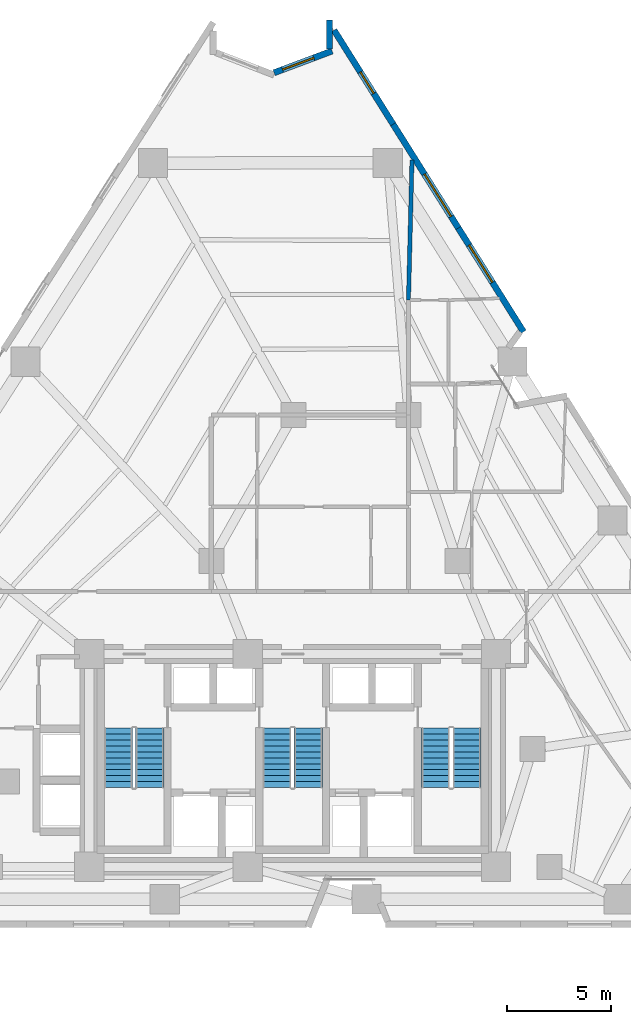
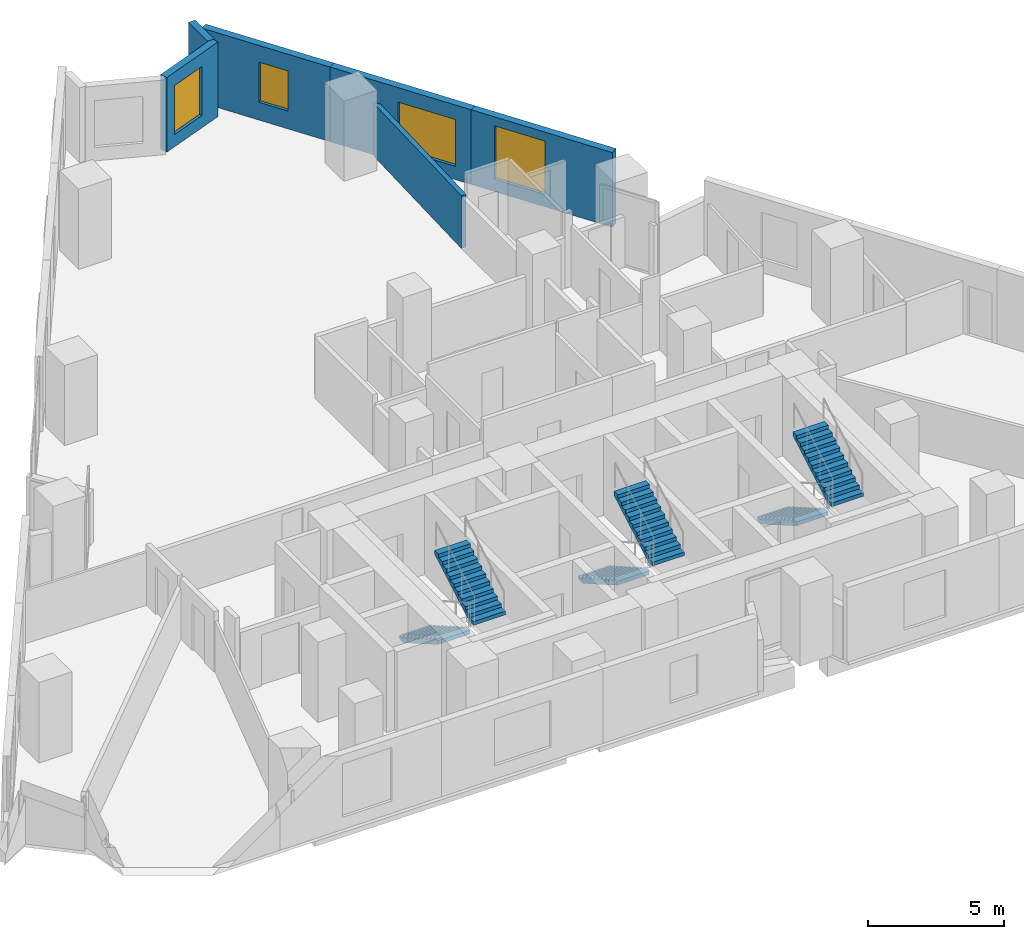
# One storey, part 10 of 13: 6 stair flights, 6 walls, 4 windows, 4 openings, 3 elements without a shape of their own.
"""IFC4 building model written with IfcOpenShell, lengths in metres."""

import ifcopenshell
import ifcopenshell.guid

model = None  # the IFC model being written
_history = None  # IfcOwnerHistory: only IFC2X3 demands one
_inside = {}  # id of a spatial element -> (the spatial element, [elements in it])
_under = {}  # id of a project, library or spatial element -> (it, [spatial elements below it])
_declared = {}  # id of a project -> (the project, [libraries it declares])
_typed = {}  # id of a type object -> (the type object, [elements of that type])
_made_of = {}  # id of a material, layer set ... -> (it, [elements and type objects made of it])


def new_model(schema):
    """Start an empty IFC model of exactly this schema.

    Asked for "IFC4X3", IfcOpenShell would pick the latest addendum, in which some entities
    have other attributes; the version numbers below select the first issue.
    IFC2X3 requires an IfcOwnerHistory on every rooted entity: one is made here for all.
    """
    global model, _history
    if schema == "IFC4X3":
        model = ifcopenshell.file(schema_version=(4, 3, 0, 0))
    else:
        model = ifcopenshell.file(schema=schema)
    _inside.clear()
    _under.clear()
    _declared.clear()
    _typed.clear()
    _made_of.clear()
    _history = None
    if model.schema == "IFC2X3":
        org = make("IfcOrganization", Name="unknown")
        user = make(
            "IfcPersonAndOrganization",
            ThePerson=make("IfcPerson", FamilyName="unknown"),
            TheOrganization=org,
        )
        app = make(
            "IfcApplication",
            ApplicationDeveloper=org,
            Version="unknown",
            ApplicationFullName="unknown",
            ApplicationIdentifier="unknown",
        )
        _history = make(
            "IfcOwnerHistory",
            OwningUser=user,
            OwningApplication=app,
            ChangeAction="ADDED",
            CreationDate=0,
        )
    return model


def make(cls, **values):
    """One entity of the class cls with the attributes given. An attribute that is None is left unset."""
    return model.create_entity(
        cls, **{name: value for name, value in values.items() if value is not None}
    )


def rooted(cls, **values):
    """An entity with a GlobalId (a new one), such as an element, a storey or a relation."""
    return make(cls, GlobalId=ifcopenshell.guid.new(), OwnerHistory=_history, **values)


def si_unit(unit_type, name, prefix=None):
    """IfcSIUnit, for example si_unit("LENGTHUNIT", "METRE", prefix="MILLI")."""
    return make("IfcSIUnit", UnitType=unit_type, Prefix=prefix, Name=name)


def assignment(units):
    """IfcUnitAssignment: the units of a project."""
    return None if units is None else make("IfcUnitAssignment", Units=units)


def point(xyz):
    """IfcCartesianPoint."""
    return None if xyz is None else make("IfcCartesianPoint", Coordinates=xyz)


def direction(xyz):
    """IfcDirection."""
    return None if xyz is None else make("IfcDirection", DirectionRatios=xyz)


def frame(location, z_axis=None, x_axis=None):
    """IfcAxis2Placement3D, a coordinate frame: its origin and axes. An axis left out is left unset."""
    return make(
        "IfcAxis2Placement3D",
        Location=point(location),
        Axis=direction(z_axis),
        RefDirection=direction(x_axis),
    )


def frame_2d(location, x_axis=None):
    """IfcAxis2Placement2D, a coordinate frame in the plane: its origin and x axis."""
    return make(
        "IfcAxis2Placement2D", Location=point(location), RefDirection=direction(x_axis)
    )


def origin():
    """The frame at (0, 0, 0) with its axes left unset."""
    return frame((0.0, 0.0, 0.0))


def place(relative_to, where):
    """IfcLocalPlacement: puts the frame where relative to a parent placement (None: the world)."""
    return make(
        "IfcLocalPlacement", PlacementRelTo=relative_to, RelativePlacement=where
    )


def context(
    kind, dimensions, precision=None, world=None, true_north=None, identifier=None
):
    """IfcGeometricRepresentationContext, for example the 3D "Model" context."""
    return make(
        "IfcGeometricRepresentationContext",
        ContextIdentifier=identifier,
        ContextType=kind,
        CoordinateSpaceDimension=dimensions,
        Precision=precision,
        WorldCoordinateSystem=world,
        TrueNorth=true_north,
    )


def subcontext(parent, identifier, kind, view, scale=None):
    """IfcGeometricRepresentationSubContext, for example "Body" below "Model"."""
    return make(
        "IfcGeometricRepresentationSubContext",
        ContextIdentifier=identifier,
        ContextType=kind,
        ParentContext=parent,
        TargetScale=scale,
        TargetView=view,
    )


def project(units=None, contexts=None):
    """IfcProject with its units and contexts."""
    return rooted(
        "IfcProject",
        Name="project",
        RepresentationContexts=contexts,
        UnitsInContext=assignment(units),
    )


def spatial(cls, under=None, at=None, **own):
    """A site, building, storey or space (cls), placed at a placement, below another one or the project."""
    s = rooted(cls, ObjectPlacement=at, **own)
    if under is not None:
        _under.setdefault(under.id(), (under, []))[1].append(s)
    return s


def polyline(points):
    """IfcPolyline through the points."""
    return make("IfcPolyline", Points=[point(p) for p in points])


def profile(cls, at=None, kind="AREA", **sizes):
    """A parametric profile (cls). Its sizes go by their IFC names, for example OverallWidth=200.0."""
    return make(cls, ProfileType=kind, Position=at, **sizes)


def rectangle(**sizes):
    """IfcRectangleProfileDef."""
    return profile("IfcRectangleProfileDef", **sizes)


def outline(outer, holes=None, kind="AREA"):
    """IfcArbitraryClosedProfileDef: a profile drawn as a closed curve; with holes, ...WithVoids."""
    if holes is None:
        return make("IfcArbitraryClosedProfileDef", ProfileType=kind, OuterCurve=outer)
    return make(
        "IfcArbitraryProfileDefWithVoids",
        ProfileType=kind,
        OuterCurve=outer,
        InnerCurves=holes,
    )


def extrude(swept, where, along, depth):
    """IfcExtrudedAreaSolid: the profile swept, set in the frame where, extruded along a direction by depth."""
    return make(
        "IfcExtrudedAreaSolid",
        SweptArea=swept,
        Position=where,
        ExtrudedDirection=direction(along),
        Depth=depth,
    )


def shape(context_of_items, identifier, shape_type, items):
    """IfcShapeRepresentation: the items that make up one representation, for example the "Body"."""
    return make(
        "IfcShapeRepresentation",
        ContextOfItems=context_of_items,
        RepresentationIdentifier=identifier,
        RepresentationType=shape_type,
        Items=items,
    )


def material(Name=None, Category=None):
    """IfcMaterial."""
    return make("IfcMaterial", Name=Name, Category=Category)


def layer(
    of_material, thickness, ventilated=None, Name=None, Category=None, Priority=None
):
    """IfcMaterialLayer: one layer of a wall or slab, of a material (None: an air gap)."""
    return make(
        "IfcMaterialLayer",
        Material=of_material,
        LayerThickness=thickness,
        IsVentilated=ventilated,
        Name=Name,
        Category=Category,
        Priority=Priority,
    )


def layer_set(layers, Name=None):
    """IfcMaterialLayerSet."""
    return make("IfcMaterialLayerSet", MaterialLayers=layers, LayerSetName=Name)


def made_of(thing, what):
    """Note that an element or type object is made of a material, layer set ...; save() writes the relation."""
    if what is not None:
        _made_of.setdefault(what.id(), (what, []))[1].append(thing)
    return thing


def type_object(cls, material=None, **own):
    """A type object (cls), such as IfcWallType, which elements share."""
    return made_of(rooted(cls, **own), material)


def element(
    cls,
    number,
    at=None,
    inside=None,
    cuts=None,
    type_object=None,
    material=None,
    context=None,
    identifier="Body",
    shape_type=None,
    held_by="IfcProductDefinitionShape",
    body=None,
    shapes=None,
    **own,
):
    """One element of the class cls, such as IfcWall. Its Tag is "e" and its number.

    at: its placement. inside: the storey or other place that contains it. cuts: it is an
    opening in that element (IfcRelVoidsElement). A single representation is given by context,
    identifier, shape_type and body (its items); several are given by shapes. held_by: the class
    of the entity that holds the representations. save() writes the other relations.
    """
    e = rooted(cls, Tag="e%d" % number, ObjectPlacement=at, **own)
    if body is not None:
        shapes = [shape(context, identifier, shape_type, body)]
    if shapes is not None:
        e.Representation = make(held_by, Representations=shapes)
    if inside is not None:
        _inside.setdefault(inside.id(), (inside, []))[1].append(e)
    if cuts is not None:
        rooted(
            "IfcRelVoidsElement", RelatingBuildingElement=cuts, RelatedOpeningElement=e
        )
    if type_object is not None:
        _typed.setdefault(type_object.id(), (type_object, []))[1].append(e)
    return made_of(e, material)


def fill(opening, filler):
    """IfcRelFillsElement: the door or window that sits in an opening."""
    return rooted(
        "IfcRelFillsElement",
        RelatingOpeningElement=opening,
        RelatedBuildingElement=filler,
    )


def aggregate(whole, parts):
    """IfcRelAggregates: a whole, such as a stair, and the parts it consists of."""
    return rooted("IfcRelAggregates", RelatingObject=whole, RelatedObjects=parts)


def save(model, path):
    """Write the relations noted so far, then the file.

    IfcRelAggregates (storeys below a building ...), IfcRelContainedInSpatialStructure (elements
    in a storey), IfcRelDefinesByType, IfcRelAssociatesMaterial and IfcRelDeclares: one each for
    every whole, place, type object, material and project.
    """
    for whole, parts in _under.values():
        aggregate(whole, parts)
    for where, things in _inside.values():
        rooted(
            "IfcRelContainedInSpatialStructure",
            RelatedElements=things,
            RelatingStructure=where,
        )
    for kind, things in _typed.values():
        rooted("IfcRelDefinesByType", RelatedObjects=things, RelatingType=kind)
    for what, things in _made_of.values():
        rooted("IfcRelAssociatesMaterial", RelatedObjects=things, RelatingMaterial=what)
    for by, libraries in _declared.values():
        rooted("IfcRelDeclares", RelatingContext=by, RelatedDefinitions=libraries)
    model.write(path)


model = new_model("IFC4")

# Units and contexts
model_context = context("Model", 3, precision=1e-05, world=origin(), true_north=direction((0.0, 1.0)))
body_context = subcontext(model_context, "Body", "Model", "MODEL_VIEW")
ifc_project = project(units=[si_unit("LENGTHUNIT", "METRE"), si_unit("AREAUNIT", "SQUARE_METRE"), si_unit("VOLUMEUNIT", "CUBIC_METRE"), si_unit("PLANEANGLEUNIT", "RADIAN"), si_unit("MASSUNIT", "GRAM", prefix="KILO")], contexts=[model_context])

# Site, building, storey
site_placement = place(None, origin())
site = spatial("IfcSite", under=ifc_project, at=site_placement, CompositionType="ELEMENT")
building_placement = place(site_placement, origin())
building = spatial("IfcBuilding", under=site, at=building_placement, Name="Almagre Mirador Tower", CompositionType="ELEMENT")
storey_placement = place(building_placement, frame((0.0, 0.0, 57.0)))
storey = spatial("IfcBuildingStorey", under=building, at=storey_placement, Name="L13", CompositionType="ELEMENT", Elevation=57.0)

# Wall, opening, window
ifc_material_1 = material(Name="Precast concrete C50/60", Category="concrete")
ifc_layer_1 = layer(ifc_material_1, 0.300048828125)
ifc_layer_set_1 = layer_set([ifc_layer_1], Name="Precast concrete C50/60")
wall_type_1 = type_object("IfcWallType", Name="WAL-EXT-300", PredefinedType="SOLIDWALL", material=ifc_layer_set_1)
wall_1_placement = place(storey_placement, frame((36.409423828125, 42.608642578125, 0.0), z_axis=(0.0, 0.0, 1.0), x_axis=(0.936403459864, 0.350925291699, 0.0)))
wall_1 = element("IfcWall", 1, at=wall_1_placement, inside=storey, type_object=wall_type_1, Name="L13 expressed almagre precast frame wall 08", PredefinedType="SOLIDWALL", context=body_context, shape_type="SweptSolid", body=[
    extrude(rectangle(XDim=2.970703125, YDim=0.300048828125, at=frame_2d((1.4853515625, 0.0))), origin(), (0.0, 0.0, 1.0), 3.35009765625),
])
opening_1_placement = place(wall_1_placement, frame((0.43505859375, 0.0, 0.550048828125)))
opening_1 = element("IfcOpeningElement", 2, at=opening_1_placement, cuts=wall_1, Name="Opening WN-06", PredefinedType="OPENING", context=body_context, shape_type="SweptSolid", body=[
    extrude(rectangle(XDim=1.60009765625, YDim=2.199951171875, at=frame_2d((0.800048828125, 1.10009765625))), frame((0.0, 0.159902, 0.0), z_axis=(0.0, -1.0, 0.0), x_axis=(1.0, 0.0, 0.0)), (0.0, 0.0, 1.0), 0.320049),
])
ifc_material_2 = material(Name="Dark solar-control laminated hurricane glass", Category="glass")
window_type_1 = type_object("IfcWindowType", Name="WIN-1600X2200", PartitioningType="DOUBLE_PANEL_VERTICAL", PredefinedType="WINDOW", material=ifc_material_2)
window_1_placement = place(opening_1_placement, origin())
window_1 = element("IfcWindow", 3, at=window_1_placement, inside=storey, type_object=window_type_1, Name="L13 recessed hurricane window L13-RST-H", OverallHeight=2.199951171875, OverallWidth=1.60009765625, PartitioningType="SINGLE_PANEL", PredefinedType="WINDOW", context=body_context, shape_type="SweptSolid", body=[
    extrude(rectangle(XDim=1.60009765625, YDim=2.199951171875, at=frame_2d((0.800048828125, 1.10009765625))), frame((0.0, 0.030029296875, 0.0), z_axis=(0.0, -1.0, 0.0), x_axis=(1.0, 0.0, 0.0)), (0.0, 0.0, 1.0), 0.06005859375),
])
fill(opening_1, window_1)

# Wall
wall_2_placement = place(storey_placement, frame((39.060546875, 43.737060546875, 0.0), z_axis=(0.0, 0.0, 1.0), x_axis=(0.004359916705, 0.999990495518, 0.0)))
element("IfcWall", 4, at=wall_2_placement, inside=storey, type_object=wall_type_1, Name="L13 expressed almagre precast frame wall 09", PredefinedType="SOLIDWALL", context=body_context, shape_type="SweptSolid", body=[
    extrude(rectangle(XDim=1.39990234375, YDim=0.300048828125, at=frame_2d((0.699951171875, 0.0))), origin(), (0.0, 0.0, 1.0), 3.35009765625),
])

# Wall, opening, window
wall_3_placement = place(storey_placement, frame((39.283935546875, 44.64990234375, 0.0), z_axis=(0.0, 0.0, 1.0), x_axis=(0.53190198091, -0.846805929776, 0.0)))
wall_3 = element("IfcWall", 5, at=wall_3_placement, inside=storey, type_object=wall_type_1, Name="L13 expressed almagre precast frame wall 10", PredefinedType="SOLIDWALL", context=body_context, shape_type="SweptSolid", body=[
    extrude(rectangle(XDim=5.323974609375, YDim=0.300048828125, at=frame_2d((2.662109375, 0.0))), origin(), (0.0, 0.0, 1.0), 3.35009765625),
])
opening_2_placement = place(wall_3_placement, frame((2.375, 0.0, 0.800048828125)))
opening_2 = element("IfcOpeningElement", 6, at=opening_2_placement, cuts=wall_3, Name="Opening WN-04", PredefinedType="OPENING", context=body_context, shape_type="SweptSolid", body=[
    extrude(rectangle(XDim=1.199951171875, YDim=1.800048828125, at=frame_2d((0.60009765625, 0.89990234375))), frame((0.0, 0.159902, 0.0), z_axis=(0.0, -1.0, 0.0), x_axis=(1.0, 0.0, 0.0)), (0.0, 0.0, 1.0), 0.320049),
])
ifc_material_3 = material(Name="Dark solar-control laminated hurricane glass", Category="glass")
window_type_2 = type_object("IfcWindowType", Name="WIN-1200X1800", PartitioningType="SINGLE_PANEL", PredefinedType="WINDOW", material=ifc_material_3)
window_2_placement = place(opening_2_placement, origin())
window_2 = element("IfcWindow", 7, at=window_2_placement, inside=storey, type_object=window_type_2, Name="L13 recessed hurricane window L13-RST-H", OverallHeight=1.800048828125, OverallWidth=1.199951171875, PartitioningType="SINGLE_PANEL", PredefinedType="WINDOW", context=body_context, shape_type="SweptSolid", body=[
    extrude(rectangle(XDim=1.199951171875, YDim=1.800048828125, at=frame_2d((0.60009765625, 0.89990234375))), frame((0.0, 0.030029296875, 0.0), z_axis=(0.0, -1.0, 0.0), x_axis=(1.0, 0.0, 0.0)), (0.0, 0.0, 1.0), 0.06005859375),
])
fill(opening_2, window_2)

wall_4_placement = place(storey_placement, frame((42.11572265625, 40.1416015625, 0.0), z_axis=(0.0, 0.0, 1.0), x_axis=(0.531917865581, -0.846795951972, 0.0)))
wall_4 = element("IfcWall", 8, at=wall_4_placement, inside=storey, type_object=wall_type_1, Name="L13 expressed almagre precast frame wall 11", PredefinedType="SOLIDWALL", context=body_context, shape_type="SweptSolid", body=[
    extrude(rectangle(XDim=5.8740234375, YDim=0.300048828125, at=frame_2d((2.93701171875, 0.0))), origin(), (0.0, 0.0, 1.0), 3.35009765625),
])
opening_3_placement = place(wall_4_placement, frame((2.824951171875, 0.0, 0.60009765625)))
opening_3 = element("IfcOpeningElement", 9, at=opening_3_placement, cuts=wall_4, Name="Opening WN-02", PredefinedType="OPENING", context=body_context, shape_type="SweptSolid", body=[
    extrude(rectangle(XDim=2.39990234375, YDim=2.10009765625, at=frame_2d((1.199951171875, 1.050048828125))), frame((0.0, 0.159902, 0.0), z_axis=(0.0, -1.0, 0.0), x_axis=(1.0, 0.0, 0.0)), (0.0, 0.0, 1.0), 0.320049),
])
ifc_material_4 = material(Name="Dark solar-control laminated hurricane glass", Category="glass")
window_type_3 = type_object("IfcWindowType", Name="WIN-2400X2100", PartitioningType="TRIPLE_PANEL_VERTICAL", PredefinedType="WINDOW", material=ifc_material_4)
window_3_placement = place(opening_3_placement, origin())
window_3 = element("IfcWindow", 10, at=window_3_placement, inside=storey, type_object=window_type_3, Name="L13 recessed hurricane window L13-UJ-ST", OverallHeight=2.10009765625, OverallWidth=2.39990234375, PartitioningType="SINGLE_PANEL", PredefinedType="WINDOW", context=body_context, shape_type="SweptSolid", body=[
    extrude(rectangle(XDim=2.39990234375, YDim=2.10009765625, at=frame_2d((1.199951171875, 1.050048828125))), frame((0.0, 0.030029296875, 0.0), z_axis=(0.0, -1.0, 0.0), x_axis=(1.0, 0.0, 0.0)), (0.0, 0.0, 1.0), 0.06005859375),
])
fill(opening_3, window_3)

wall_5_placement = place(storey_placement, frame((45.240234375, 35.16748046875, 0.0), z_axis=(0.0, 0.0, 1.0), x_axis=(0.53188806159, -0.846814672723, 0.0)))
wall_5 = element("IfcWall", 11, at=wall_5_placement, inside=storey, type_object=wall_type_1, Name="L13 expressed almagre precast frame wall 12", PredefinedType="SOLIDWALL", context=body_context, shape_type="SweptSolid", body=[
    extrude(rectangle(XDim=5.8740234375, YDim=0.300048828125, at=frame_2d((2.93701171875, 0.0))), origin(), (0.0, 0.0, 1.0), 3.35009765625),
])
opening_4_placement = place(wall_5_placement, frame((0.97509765625, 0.0, 0.550048828125)))
opening_4 = element("IfcOpeningElement", 12, at=opening_4_placement, cuts=wall_5, Name="Opening WN-05", PredefinedType="OPENING", context=body_context, shape_type="SweptSolid", body=[
    extrude(rectangle(XDim=2.10009765625, YDim=2.39990234375, at=frame_2d((1.050048828125, 1.199951171875))), frame((0.0, 0.159902, 0.0), z_axis=(0.0, -1.0, 0.0), x_axis=(1.0, 0.0, 0.0)), (0.0, 0.0, 1.0), 0.320049),
])
ifc_material_5 = material(Name="Dark solar-control laminated hurricane glass", Category="glass")
window_type_4 = type_object("IfcWindowType", Name="WIN-2100X2400", PartitioningType="DOUBLE_PANEL_VERTICAL", PredefinedType="WINDOW", material=ifc_material_5)
window_4_placement = place(opening_4_placement, origin())
window_4 = element("IfcWindow", 13, at=window_4_placement, inside=storey, type_object=window_type_4, Name="L13 recessed hurricane window L13-UJ-ST", OverallHeight=2.39990234375, OverallWidth=2.10009765625, PartitioningType="SINGLE_PANEL", PredefinedType="WINDOW", context=body_context, shape_type="SweptSolid", body=[
    extrude(rectangle(XDim=2.10009765625, YDim=2.39990234375, at=frame_2d((1.050048828125, 1.199951171875))), frame((0.0, 0.030029296875, 0.0), z_axis=(0.0, -1.0, 0.0), x_axis=(1.0, 0.0, 0.0)), (0.0, 0.0, 1.0), 0.06005859375),
])
fill(opening_4, window_4)

# Wall
ifc_material_6 = material(Name="Gypsum acoustic stud partition", Category="other")
ifc_layer_2 = layer(ifc_material_6, 0.199951171875)
ifc_layer_set_2 = layer_set([ifc_layer_2], Name="Gypsum acoustic stud partition")
wall_type_2 = type_object("IfcWallType", Name="WAL-PRT-200-EI60", PredefinedType="PARTITIONING", material=ifc_layer_set_2)
wall_6_placement = place(storey_placement, frame((42.85009765625, 31.7099609375, 0.0), z_axis=(0.0, 0.0, 1.0), x_axis=(0.025129190117, 0.999684212041, 0.0)))
element("IfcWall", 14, at=wall_6_placement, inside=storey, type_object=wall_type_2, Name="L13 interior partition 044", PredefinedType="PARTITIONING", context=body_context, shape_type="SweptSolid", body=[
    extrude(rectangle(XDim=6.72314453125, YDim=0.199951171875, at=frame_2d((3.361572265625, 0.0))), origin(), (0.0, 0.0, 1.0), 2.3701171875),
])

# Stair, stair flights
ifc_material_7 = material(Name="Concrete C45/55", Category="concrete")
stair_type = type_object("IfcStairType", Name="STR-DL-3600", PredefinedType="HALF_TURN_STAIR", material=ifc_material_7)
stair_1_placement = place(storey_placement, origin())
stair_1 = element("IfcStair", 15, at=stair_1_placement, inside=storey, type_object=stair_type, Name="L13 Protected exit stair ST-1", PredefinedType="HALF_TURN_STAIR")
ifc_material_8 = material(Name="Concrete C45/55", Category="concrete")
stair_flight_type = type_object("IfcStairFlightType", Name="FLT-DL-3600", PredefinedType="STRAIGHT", material=ifc_material_8)
stair_flight_1_placement = place(storey_placement, frame((28.949951171875, 11.199951171875, 0.0), z_axis=(0.0, 0.0, 1.0), x_axis=(0.0, -1.0, 0.0)))
stair_flight_1 = element("IfcStairFlight", 16, at=stair_flight_1_placement, type_object=stair_flight_type, Name="ST-1 flight 1", NumberOfRisers=11, NumberOfTreads=10, PredefinedType="STRAIGHT", RiserHeight=0.163636364, TreadLength=0.285, context=body_context, shape_type="SweptSolid", body=[
    extrude(outline(polyline([(0.0, 0.0), (0.0, 0.16357421875), (0.284912109375, 0.16357421875), (0.284912109375, 0.327392578125), (0.570068359375, 0.327392578125), (0.570068359375, 0.490966796875), (0.85498046875, 0.490966796875), (0.85498046875, 0.654541015625), (1.139892578125, 0.654541015625), (1.139892578125, 0.818115234375), (1.425048828125, 0.818115234375), (1.425048828125, 0.98193359375), (1.7099609375, 0.98193359375), (1.7099609375, 1.1455078125), (1.9951171875, 1.1455078125), (1.9951171875, 1.30908203125), (2.280029296875, 1.30908203125), (2.280029296875, 1.47265625), (2.56494140625, 1.47265625), (2.56494140625, 1.636474609375), (2.85009765625, 1.636474609375), (2.85009765625, 1.800048828125), (2.85009765625, 1.463623046875), (0.301025390625, 0.0), (0.0, 0.0)])), frame((0.0, 0.675048828125, 0.0), z_axis=(0.0, -1.0, 0.0), x_axis=(1.0, 0.0, 0.0)), (0.0, 0.0, 1.0), 1.35009765625),
])
stair_flight_2_placement = place(storey_placement, frame((30.449951171875, 8.35009765625, 1.800048828125), z_axis=(0.0, 0.0, 1.0), x_axis=(0.0, 1.0, 0.0)))
stair_flight_2 = element("IfcStairFlight", 17, at=stair_flight_2_placement, type_object=stair_flight_type, Name="ST-1 flight 2", NumberOfRisers=11, NumberOfTreads=10, PredefinedType="STRAIGHT", RiserHeight=0.163636364, TreadLength=0.285, context=body_context, shape_type="SweptSolid", body=[
    extrude(outline(polyline([(0.0, 0.0), (0.0, 0.16357421875), (0.284912109375, 0.16357421875), (0.284912109375, 0.327392578125), (0.570068359375, 0.327392578125), (0.570068359375, 0.490966796875), (0.85498046875, 0.490966796875), (0.85498046875, 0.654541015625), (1.139892578125, 0.654541015625), (1.139892578125, 0.818115234375), (1.425048828125, 0.818115234375), (1.425048828125, 0.98193359375), (1.7099609375, 0.98193359375), (1.7099609375, 1.1455078125), (1.9951171875, 1.1455078125), (1.9951171875, 1.30908203125), (2.280029296875, 1.30908203125), (2.280029296875, 1.47265625), (2.56494140625, 1.47265625), (2.56494140625, 1.636474609375), (2.85009765625, 1.636474609375), (2.85009765625, 1.800048828125), (2.85009765625, 1.463623046875), (0.301025390625, 0.0), (0.0, 0.0)])), frame((0.0, 0.675048828125, 0.0), z_axis=(0.0, -1.0, 0.0), x_axis=(1.0, 0.0, 0.0)), (0.0, 0.0, 1.0), 1.35009765625),
])
aggregate(stair_1, [stair_flight_1, stair_flight_2])

stair_2_placement = place(storey_placement, origin())
stair_2 = element("IfcStair", 18, at=stair_2_placement, inside=storey, type_object=stair_type, Name="L13 Protected exit stair ST-2", PredefinedType="HALF_TURN_STAIR")
stair_flight_3_placement = place(storey_placement, frame((36.550048828125, 11.199951171875, 0.0), z_axis=(0.0, 0.0, 1.0), x_axis=(0.0, -1.0, 0.0)))
stair_flight_3 = element("IfcStairFlight", 19, at=stair_flight_3_placement, type_object=stair_flight_type, Name="ST-2 flight 1", NumberOfRisers=11, NumberOfTreads=10, PredefinedType="STRAIGHT", RiserHeight=0.163636364, TreadLength=0.285, context=body_context, shape_type="SweptSolid", body=[
    extrude(outline(polyline([(0.0, 0.0), (0.0, 0.16357421875), (0.284912109375, 0.16357421875), (0.284912109375, 0.327392578125), (0.570068359375, 0.327392578125), (0.570068359375, 0.490966796875), (0.85498046875, 0.490966796875), (0.85498046875, 0.654541015625), (1.139892578125, 0.654541015625), (1.139892578125, 0.818115234375), (1.425048828125, 0.818115234375), (1.425048828125, 0.98193359375), (1.7099609375, 0.98193359375), (1.7099609375, 1.1455078125), (1.9951171875, 1.1455078125), (1.9951171875, 1.30908203125), (2.280029296875, 1.30908203125), (2.280029296875, 1.47265625), (2.56494140625, 1.47265625), (2.56494140625, 1.636474609375), (2.85009765625, 1.636474609375), (2.85009765625, 1.800048828125), (2.85009765625, 1.463623046875), (0.301025390625, 0.0), (0.0, 0.0)])), frame((0.0, 0.675048828125, 0.0), z_axis=(0.0, -1.0, 0.0), x_axis=(1.0, 0.0, 0.0)), (0.0, 0.0, 1.0), 1.35009765625),
])
stair_flight_4_placement = place(storey_placement, frame((38.050048828125, 8.35009765625, 1.800048828125), z_axis=(0.0, 0.0, 1.0), x_axis=(0.0, 1.0, 0.0)))
stair_flight_4 = element("IfcStairFlight", 20, at=stair_flight_4_placement, type_object=stair_flight_type, Name="ST-2 flight 2", NumberOfRisers=11, NumberOfTreads=10, PredefinedType="STRAIGHT", RiserHeight=0.163636364, TreadLength=0.285, context=body_context, shape_type="SweptSolid", body=[
    extrude(outline(polyline([(0.0, 0.0), (0.0, 0.16357421875), (0.284912109375, 0.16357421875), (0.284912109375, 0.327392578125), (0.570068359375, 0.327392578125), (0.570068359375, 0.490966796875), (0.85498046875, 0.490966796875), (0.85498046875, 0.654541015625), (1.139892578125, 0.654541015625), (1.139892578125, 0.818115234375), (1.425048828125, 0.818115234375), (1.425048828125, 0.98193359375), (1.7099609375, 0.98193359375), (1.7099609375, 1.1455078125), (1.9951171875, 1.1455078125), (1.9951171875, 1.30908203125), (2.280029296875, 1.30908203125), (2.280029296875, 1.47265625), (2.56494140625, 1.47265625), (2.56494140625, 1.636474609375), (2.85009765625, 1.636474609375), (2.85009765625, 1.800048828125), (2.85009765625, 1.463623046875), (0.301025390625, 0.0), (0.0, 0.0)])), frame((0.0, 0.675048828125, 0.0), z_axis=(0.0, -1.0, 0.0), x_axis=(1.0, 0.0, 0.0)), (0.0, 0.0, 1.0), 1.35009765625),
])
aggregate(stair_2, [stair_flight_3, stair_flight_4])

stair_3_placement = place(storey_placement, origin())
stair_3 = element("IfcStair", 21, at=stair_3_placement, inside=storey, type_object=stair_type, Name="L13 Protected exit stair ST-3", PredefinedType="HALF_TURN_STAIR")
stair_flight_5_placement = place(storey_placement, frame((44.14990234375, 11.199951171875, 0.0), z_axis=(0.0, 0.0, 1.0), x_axis=(0.0, -1.0, 0.0)))
stair_flight_5 = element("IfcStairFlight", 22, at=stair_flight_5_placement, type_object=stair_flight_type, Name="ST-3 flight 1", NumberOfRisers=11, NumberOfTreads=10, PredefinedType="STRAIGHT", RiserHeight=0.163636364, TreadLength=0.285, context=body_context, shape_type="SweptSolid", body=[
    extrude(outline(polyline([(0.0, 0.0), (0.0, 0.16357421875), (0.284912109375, 0.16357421875), (0.284912109375, 0.327392578125), (0.570068359375, 0.327392578125), (0.570068359375, 0.490966796875), (0.85498046875, 0.490966796875), (0.85498046875, 0.654541015625), (1.139892578125, 0.654541015625), (1.139892578125, 0.818115234375), (1.425048828125, 0.818115234375), (1.425048828125, 0.98193359375), (1.7099609375, 0.98193359375), (1.7099609375, 1.1455078125), (1.9951171875, 1.1455078125), (1.9951171875, 1.30908203125), (2.280029296875, 1.30908203125), (2.280029296875, 1.47265625), (2.56494140625, 1.47265625), (2.56494140625, 1.636474609375), (2.85009765625, 1.636474609375), (2.85009765625, 1.800048828125), (2.85009765625, 1.463623046875), (0.301025390625, 0.0), (0.0, 0.0)])), frame((0.0, 0.675048828125, 0.0), z_axis=(0.0, -1.0, 0.0), x_axis=(1.0, 0.0, 0.0)), (0.0, 0.0, 1.0), 1.35009765625),
])
stair_flight_6_placement = place(storey_placement, frame((45.64990234375, 8.35009765625, 1.800048828125), z_axis=(0.0, 0.0, 1.0), x_axis=(0.0, 1.0, 0.0)))
stair_flight_6 = element("IfcStairFlight", 23, at=stair_flight_6_placement, type_object=stair_flight_type, Name="ST-3 flight 2", NumberOfRisers=11, NumberOfTreads=10, PredefinedType="STRAIGHT", RiserHeight=0.163636364, TreadLength=0.285, context=body_context, shape_type="SweptSolid", body=[
    extrude(outline(polyline([(0.0, 0.0), (0.0, 0.16357421875), (0.284912109375, 0.16357421875), (0.284912109375, 0.327392578125), (0.570068359375, 0.327392578125), (0.570068359375, 0.490966796875), (0.85498046875, 0.490966796875), (0.85498046875, 0.654541015625), (1.139892578125, 0.654541015625), (1.139892578125, 0.818115234375), (1.425048828125, 0.818115234375), (1.425048828125, 0.98193359375), (1.7099609375, 0.98193359375), (1.7099609375, 1.1455078125), (1.9951171875, 1.1455078125), (1.9951171875, 1.30908203125), (2.280029296875, 1.30908203125), (2.280029296875, 1.47265625), (2.56494140625, 1.47265625), (2.56494140625, 1.636474609375), (2.85009765625, 1.636474609375), (2.85009765625, 1.800048828125), (2.85009765625, 1.463623046875), (0.301025390625, 0.0), (0.0, 0.0)])), frame((0.0, 0.675048828125, 0.0), z_axis=(0.0, -1.0, 0.0), x_axis=(1.0, 0.0, 0.0)), (0.0, 0.0, 1.0), 1.35009765625),
])
aggregate(stair_3, [stair_flight_5, stair_flight_6])

save(model, "model.ifc")
